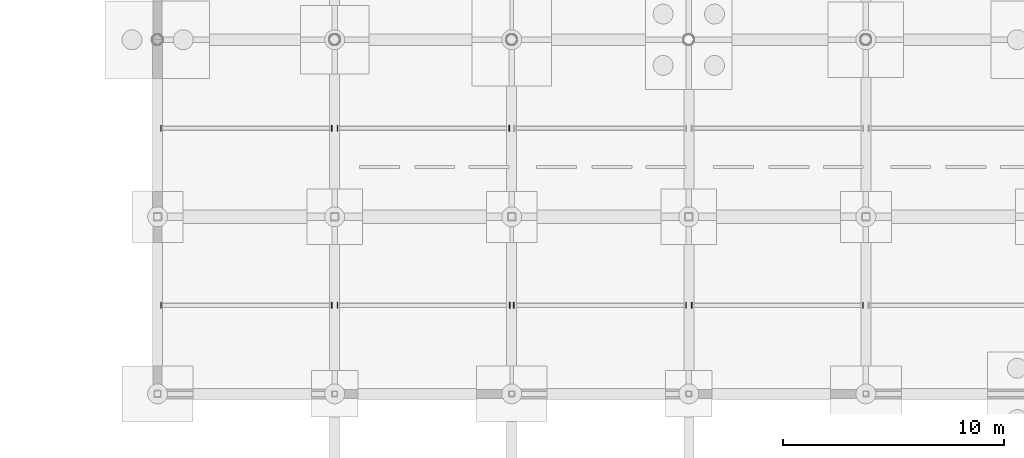
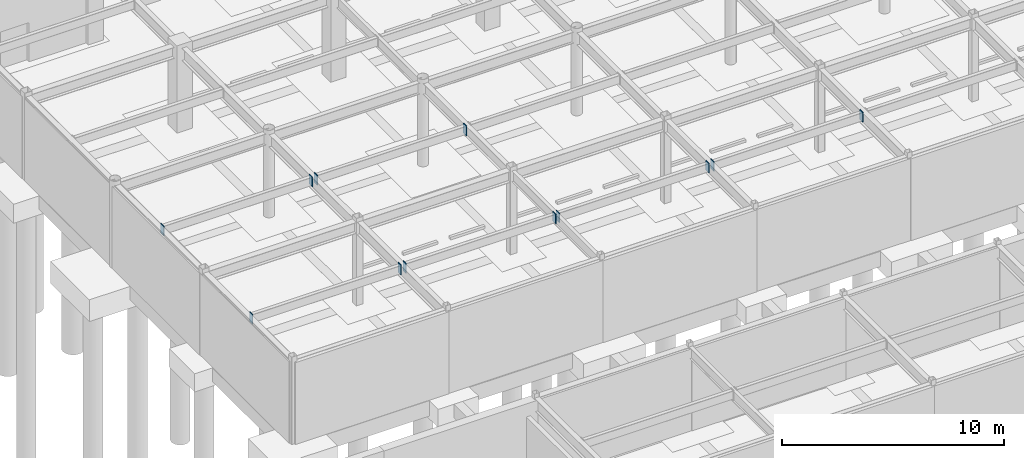
# One storey, part 76 of 105: 12 discrete accessories.
"""IFC4 building model written with IfcOpenShell, lengths in metres."""

import ifcopenshell
import ifcopenshell.guid

model = None  # the IFC model being written
_history = None  # IfcOwnerHistory: only IFC2X3 demands one
_inside = {}  # id of a spatial element -> (the spatial element, [elements in it])
_under = {}  # id of a project, library or spatial element -> (it, [spatial elements below it])
_declared = {}  # id of a project -> (the project, [libraries it declares])
_typed = {}  # id of a type object -> (the type object, [elements of that type])
_made_of = {}  # id of a material, layer set ... -> (it, [elements and type objects made of it])


def new_model(schema):
    """Start an empty IFC model of exactly this schema.

    Asked for "IFC4X3", IfcOpenShell would pick the latest addendum, in which some entities
    have other attributes; the version numbers below select the first issue.
    IFC2X3 requires an IfcOwnerHistory on every rooted entity: one is made here for all.
    """
    global model, _history
    if schema == "IFC4X3":
        model = ifcopenshell.file(schema_version=(4, 3, 0, 0))
    else:
        model = ifcopenshell.file(schema=schema)
    _inside.clear()
    _under.clear()
    _declared.clear()
    _typed.clear()
    _made_of.clear()
    _history = None
    if model.schema == "IFC2X3":
        org = make("IfcOrganization", Name="unknown")
        user = make(
            "IfcPersonAndOrganization",
            ThePerson=make("IfcPerson", FamilyName="unknown"),
            TheOrganization=org,
        )
        app = make(
            "IfcApplication",
            ApplicationDeveloper=org,
            Version="unknown",
            ApplicationFullName="unknown",
            ApplicationIdentifier="unknown",
        )
        _history = make(
            "IfcOwnerHistory",
            OwningUser=user,
            OwningApplication=app,
            ChangeAction="ADDED",
            CreationDate=0,
        )
    return model


def make(cls, **values):
    """One entity of the class cls with the attributes given. An attribute that is None is left unset."""
    return model.create_entity(
        cls, **{name: value for name, value in values.items() if value is not None}
    )


def rooted(cls, **values):
    """An entity with a GlobalId (a new one), such as an element, a storey or a relation."""
    return make(cls, GlobalId=ifcopenshell.guid.new(), OwnerHistory=_history, **values)


def si_unit(unit_type, name, prefix=None):
    """IfcSIUnit, for example si_unit("LENGTHUNIT", "METRE", prefix="MILLI")."""
    return make("IfcSIUnit", UnitType=unit_type, Prefix=prefix, Name=name)


def assignment(units):
    """IfcUnitAssignment: the units of a project."""
    return None if units is None else make("IfcUnitAssignment", Units=units)


def point(xyz):
    """IfcCartesianPoint."""
    return None if xyz is None else make("IfcCartesianPoint", Coordinates=xyz)


def direction(xyz):
    """IfcDirection."""
    return None if xyz is None else make("IfcDirection", DirectionRatios=xyz)


def frame(location, z_axis=None, x_axis=None):
    """IfcAxis2Placement3D, a coordinate frame: its origin and axes. An axis left out is left unset."""
    return make(
        "IfcAxis2Placement3D",
        Location=point(location),
        Axis=direction(z_axis),
        RefDirection=direction(x_axis),
    )


def frame_2d(location, x_axis=None):
    """IfcAxis2Placement2D, a coordinate frame in the plane: its origin and x axis."""
    return make(
        "IfcAxis2Placement2D", Location=point(location), RefDirection=direction(x_axis)
    )


def origin():
    """The frame at (0, 0, 0) with its axes left unset."""
    return frame((0.0, 0.0, 0.0))


def origin_2d():
    """The frame at (0, 0) in the plane with its x axis left unset."""
    return frame_2d((0.0, 0.0))


def place(relative_to, where):
    """IfcLocalPlacement: puts the frame where relative to a parent placement (None: the world)."""
    return make(
        "IfcLocalPlacement", PlacementRelTo=relative_to, RelativePlacement=where
    )


def context(
    kind, dimensions, precision=None, world=None, true_north=None, identifier=None
):
    """IfcGeometricRepresentationContext, for example the 3D "Model" context."""
    return make(
        "IfcGeometricRepresentationContext",
        ContextIdentifier=identifier,
        ContextType=kind,
        CoordinateSpaceDimension=dimensions,
        Precision=precision,
        WorldCoordinateSystem=world,
        TrueNorth=true_north,
    )


def subcontext(parent, identifier, kind, view, scale=None):
    """IfcGeometricRepresentationSubContext, for example "Body" below "Model"."""
    return make(
        "IfcGeometricRepresentationSubContext",
        ContextIdentifier=identifier,
        ContextType=kind,
        ParentContext=parent,
        TargetScale=scale,
        TargetView=view,
    )


def project(units=None, contexts=None):
    """IfcProject with its units and contexts."""
    return rooted(
        "IfcProject",
        Name="project",
        RepresentationContexts=contexts,
        UnitsInContext=assignment(units),
    )


def spatial(cls, under=None, at=None, **own):
    """A site, building, storey or space (cls), placed at a placement, below another one or the project."""
    s = rooted(cls, ObjectPlacement=at, **own)
    if under is not None:
        _under.setdefault(under.id(), (under, []))[1].append(s)
    return s


def profile(cls, at=None, kind="AREA", **sizes):
    """A parametric profile (cls). Its sizes go by their IFC names, for example OverallWidth=200.0."""
    return make(cls, ProfileType=kind, Position=at, **sizes)


def rectangle(**sizes):
    """IfcRectangleProfileDef."""
    return profile("IfcRectangleProfileDef", **sizes)


def extrude(swept, where, along, depth):
    """IfcExtrudedAreaSolid: the profile swept, set in the frame where, extruded along a direction by depth."""
    return make(
        "IfcExtrudedAreaSolid",
        SweptArea=swept,
        Position=where,
        ExtrudedDirection=direction(along),
        Depth=depth,
    )


def shape(context_of_items, identifier, shape_type, items):
    """IfcShapeRepresentation: the items that make up one representation, for example the "Body"."""
    return make(
        "IfcShapeRepresentation",
        ContextOfItems=context_of_items,
        RepresentationIdentifier=identifier,
        RepresentationType=shape_type,
        Items=items,
    )


def material(Name=None, Category=None):
    """IfcMaterial."""
    return make("IfcMaterial", Name=Name, Category=Category)


def layer(
    of_material, thickness, ventilated=None, Name=None, Category=None, Priority=None
):
    """IfcMaterialLayer: one layer of a wall or slab, of a material (None: an air gap)."""
    return make(
        "IfcMaterialLayer",
        Material=of_material,
        LayerThickness=thickness,
        IsVentilated=ventilated,
        Name=Name,
        Category=Category,
        Priority=Priority,
    )


def layer_set(layers, Name=None):
    """IfcMaterialLayerSet."""
    return make("IfcMaterialLayerSet", MaterialLayers=layers, LayerSetName=Name)


def made_of(thing, what):
    """Note that an element or type object is made of a material, layer set ...; save() writes the relation."""
    if what is not None:
        _made_of.setdefault(what.id(), (what, []))[1].append(thing)
    return thing


def type_object(cls, material=None, **own):
    """A type object (cls), such as IfcWallType, which elements share."""
    return made_of(rooted(cls, **own), material)


def element(
    cls,
    number,
    at=None,
    inside=None,
    cuts=None,
    type_object=None,
    material=None,
    context=None,
    identifier="Body",
    shape_type=None,
    held_by="IfcProductDefinitionShape",
    body=None,
    shapes=None,
    **own,
):
    """One element of the class cls, such as IfcWall. Its Tag is "e" and its number.

    at: its placement. inside: the storey or other place that contains it. cuts: it is an
    opening in that element (IfcRelVoidsElement). A single representation is given by context,
    identifier, shape_type and body (its items); several are given by shapes. held_by: the class
    of the entity that holds the representations. save() writes the other relations.
    """
    e = rooted(cls, Tag="e%d" % number, ObjectPlacement=at, **own)
    if body is not None:
        shapes = [shape(context, identifier, shape_type, body)]
    if shapes is not None:
        e.Representation = make(held_by, Representations=shapes)
    if inside is not None:
        _inside.setdefault(inside.id(), (inside, []))[1].append(e)
    if cuts is not None:
        rooted(
            "IfcRelVoidsElement", RelatingBuildingElement=cuts, RelatedOpeningElement=e
        )
    if type_object is not None:
        _typed.setdefault(type_object.id(), (type_object, []))[1].append(e)
    return made_of(e, material)


def aggregate(whole, parts):
    """IfcRelAggregates: a whole, such as a stair, and the parts it consists of."""
    return rooted("IfcRelAggregates", RelatingObject=whole, RelatedObjects=parts)


def save(model, path):
    """Write the relations noted so far, then the file.

    IfcRelAggregates (storeys below a building ...), IfcRelContainedInSpatialStructure (elements
    in a storey), IfcRelDefinesByType, IfcRelAssociatesMaterial and IfcRelDeclares: one each for
    every whole, place, type object, material and project.
    """
    for whole, parts in _under.values():
        aggregate(whole, parts)
    for where, things in _inside.values():
        rooted(
            "IfcRelContainedInSpatialStructure",
            RelatedElements=things,
            RelatingStructure=where,
        )
    for kind, things in _typed.values():
        rooted("IfcRelDefinesByType", RelatedObjects=things, RelatingType=kind)
    for what, things in _made_of.values():
        rooted("IfcRelAssociatesMaterial", RelatedObjects=things, RelatingMaterial=what)
    for by, libraries in _declared.values():
        rooted("IfcRelDeclares", RelatingContext=by, RelatedDefinitions=libraries)
    model.write(path)


model = new_model("IFC4")

# Units and contexts
model_context = context("Model", 3, precision=1e-05, world=origin(), true_north=direction((0.0, 1.0)))
body_context = subcontext(model_context, "Body", "Model", "MODEL_VIEW")
ifc_project = project(units=[si_unit("LENGTHUNIT", "METRE"), si_unit("AREAUNIT", "SQUARE_METRE"), si_unit("VOLUMEUNIT", "CUBIC_METRE"), si_unit("PLANEANGLEUNIT", "RADIAN"), si_unit("MASSUNIT", "GRAM", prefix="KILO")], contexts=[model_context])

# Site, building, storey
site_placement = place(None, origin())
site = spatial("IfcSite", under=ifc_project, at=site_placement, CompositionType="ELEMENT")
building_placement = place(site_placement, origin())
building = spatial("IfcBuilding", under=site, at=building_placement, Name="Solmirada Galleria", CompositionType="ELEMENT")
storey_placement = place(building_placement, frame((0.0, 0.0, -4.800048828125)))
storey = spatial("IfcBuildingStorey", under=building, at=storey_placement, Name="B1", CompositionType="ELEMENT", Elevation=-4.800048828125)

# Discrete accessories
ifc_material = material(Name="Steel S355 / ASTM A572 Grade 50", Category="steel")
ifc_layer = layer(ifc_material, 0.031982421875)
ifc_layer_set = layer_set([ifc_layer], Name="Steel S355 / ASTM A572 Grade 50")
discrete_accessory_type = type_object("IfcDiscreteAccessoryType", Name="ACC-COL-CAP", PredefinedType="BRACKET", material=ifc_layer_set)
for number, where, z_axis, x_axis, name in (
    (1, (40.152587890625, 76.0, 4.08154296875), (0.0, 0.0, 1.0), (1.0, 0.0, 0.0), "Hollow joist end plate L00-06-10-L"),
    (2, (47.8720703125, 76.0, 4.08154296875), (0.0, 0.0, 1.0), (1.0, 0.0, 0.0), "Hollow joist end plate L00-06-10-R"),
    (3, (40.152587890625, 84.0, 4.08154296875), (0.0, 0.0, 1.0), (1.0, 0.0, 0.0), "Hollow joist end plate L00-06-11-L"),
    (4, (47.8720703125, 84.0, 4.08154296875), (0.0, 0.0, 1.0), (1.0, 0.0, 0.0), "Hollow joist end plate L00-06-11-R"),
    (5, (48.1279296875, 76.0, 4.08154296875), (0.0, 0.0, 1.0), (1.0, 0.0, 0.0), "Hollow joist end plate L00-07-10-L"),
    (6, (55.910888671875, 76.0, 4.08154296875), (0.0, 0.0, 1.0), (1.0, 0.0, 0.0), "Hollow joist end plate L00-07-10-R"),
    (7, (48.1279296875, 84.0, 4.08154296875), (0.0, 0.0, 1.0), (1.0, 0.0, 0.0), "Hollow joist end plate L00-07-11-L"),
    (8, (55.885986328125, 84.0, 4.08154296875), (0.0, 0.0, 1.0), (1.0, 0.0, 0.0), "Hollow joist end plate L00-07-11-R"),
    (9, (56.089111328125, 76.0, 4.08154296875), (0.0, 0.0, 1.0), (1.0, 0.0, 0.0), "Hollow joist end plate L00-08-10-L"),
    (10, (63.873046875, 76.0, 4.08154296875), (0.0, 0.0, 1.0), (1.0, 0.0, 0.0), "Hollow joist end plate L00-08-10-R"),
    (11, (64.126953125, 76.0, 4.08154296875), (0.0, 0.0, 1.0), (1.0, 0.0, 0.0), "Hollow joist end plate L00-09-10-L"),
    (12, (71.8720703125, 76.0, 4.08154296875), (0.0, 0.0, 1.0), (1.0, 0.0, 0.0), "Hollow joist end plate L00-09-10-R"),
):
    element("IfcDiscreteAccessory", number, at=place(storey_placement, frame(where, z_axis=z_axis, x_axis=x_axis)), inside=storey, type_object=discrete_accessory_type, Name=name, PredefinedType="BRACKET", context=body_context, shape_type="SweptSolid", body=[
        extrude(rectangle(XDim=0.035888671875, YDim=0.280029296875, at=origin_2d()), origin(), (0.0, 0.0, 1.0), 0.5400390625),
    ])

save(model, "model.ifc")
